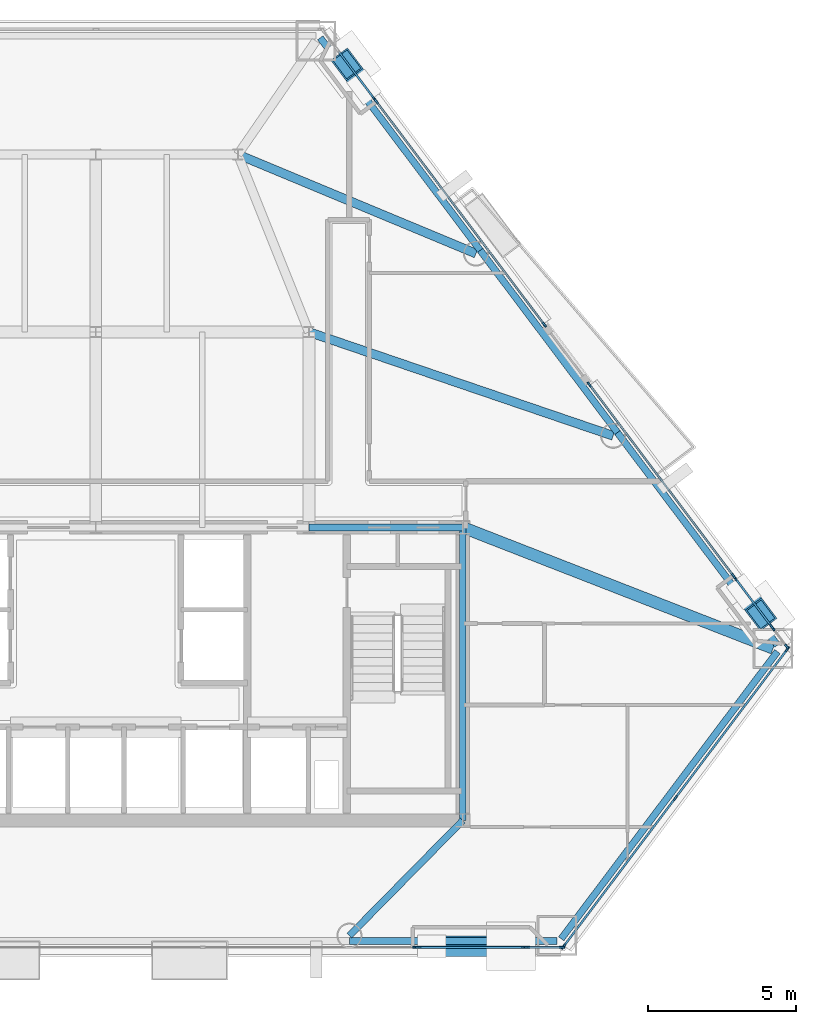
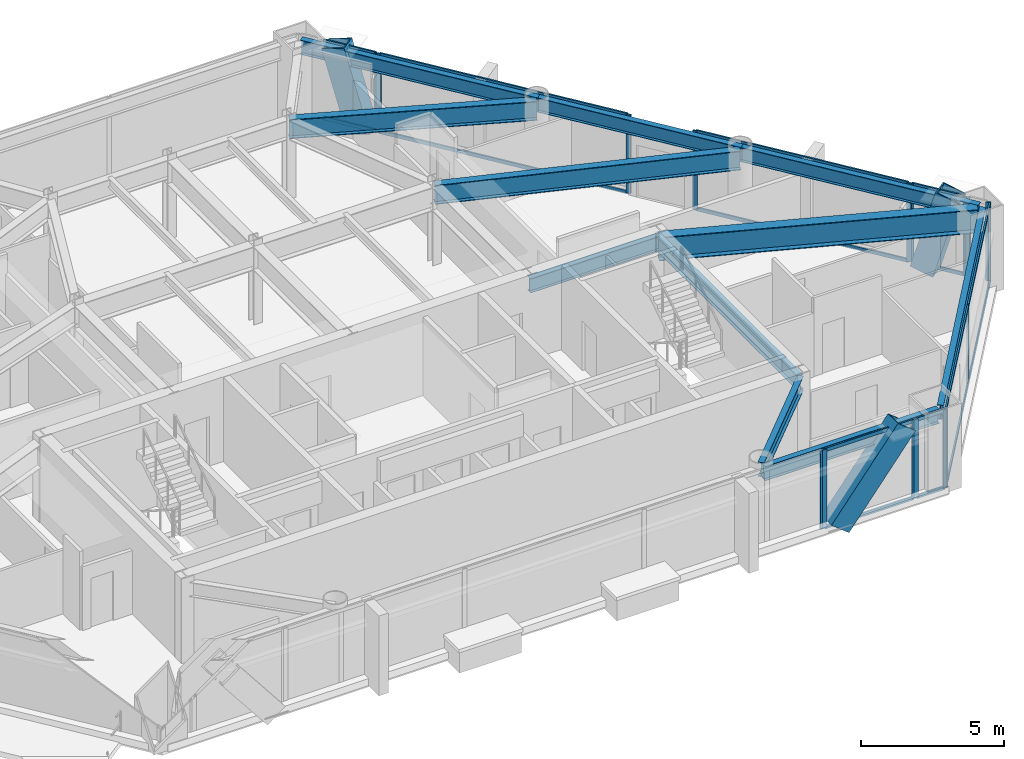
# One storey, part 4 of 14: 36 members, 11 beams, 9 elements without a shape of their own.
"""IFC4 building model written with IfcOpenShell, lengths in metres."""

from ifc_helpers import new_model, si_unit, direction, frame, origin, origin_2d, place, context, subcontext, project, spatial, rectangle, hollow_rectangle, i_section, extrude, material, layer, layer_set, material_profile, profile_set, type_object, element, aggregate, save


model = new_model("IFC4")

# Units and contexts
model_context = context("Model", 3, precision=1e-05, world=origin(), true_north=direction((0.0, 1.0)))
body_context = subcontext(model_context, "Body", "Model", "MODEL_VIEW")
ifc_project = project(units=[si_unit("LENGTHUNIT", "METRE"), si_unit("AREAUNIT", "SQUARE_METRE"), si_unit("VOLUMEUNIT", "CUBIC_METRE"), si_unit("PLANEANGLEUNIT", "RADIAN"), si_unit("MASSUNIT", "GRAM", prefix="KILO")], contexts=[model_context])

# Site, building, storey
site_placement = place(None, origin())
site = spatial("IfcSite", under=ifc_project, at=site_placement, CompositionType="ELEMENT")
building_placement = place(site_placement, origin())
building = spatial("IfcBuilding", under=site, at=building_placement, Name="Talgorran Terracotta Tower", CompositionType="ELEMENT")
storey_placement = place(building_placement, frame((0.0, 0.0, 53.10009765625)))
storey = spatial("IfcBuildingStorey", under=building, at=storey_placement, Name="L13", CompositionType="ELEMENT", Elevation=53.10009765625)

# Beams
ifc_material_1 = material(Name="Steel Grade 350 (350L0)", Category="steel")
ifc_material_profile_1 = material_profile(ifc_material_1, i_section(OverallWidth=0.39990234375, OverallDepth=1.0, WebThickness=0.01611328125, FlangeThickness=0.031005859375, at=origin_2d()), Name="1000WB296")
ifc_profile_set_1 = profile_set([ifc_material_profile_1], Name="Steel Grade 350 (350L0)")
beam_type_1 = type_object("IfcBeamType", Name="BM_1000WB296", PredefinedType="BEAM", material=ifc_profile_set_1)
beam_1_placement = place(storey_placement, frame((12.39990234375, -4.199951171875, 2.849853515625), z_axis=(0.931733259181, -0.363143406571, 0.0), x_axis=(0.363143406571, 0.931733259181, 0.0)))
element("IfcBeam", 1, at=beam_1_placement, inside=storey, type_object=beam_type_1, Name="L13 Floor Girder G18", PredefinedType="BEAM", context=body_context, shape_type="SweptSolid", body=[
    extrude(i_section(OverallWidth=0.39990234375, OverallDepth=1.0, WebThickness=0.01611328125, FlangeThickness=0.031005859375, at=origin_2d()), origin(), (0.0, 0.0, 1.0), 11.253662109375),
])
ifc_material_2 = material(Name="Steel S355 (300PLUS)", Category="steel")
ifc_material_profile_2 = material_profile(ifc_material_2, i_section(OverallWidth=0.300048828125, OverallDepth=0.81591796875, WebThickness=0.013916015625, FlangeThickness=0.028076171875, at=origin_2d()), Name="800WB192")
ifc_profile_set_2 = profile_set([ifc_material_profile_2], Name="Steel S355 (300PLUS)")
beam_type_2 = type_object("IfcBeamType", Name="BM_800WB192", PredefinedType="BEAM", material=ifc_profile_set_2)
beam_2_placement = place(storey_placement, frame((7.199951171875, 2.39990234375, 2.94189453125), z_axis=(0.94650066869, -0.322701850274, 0.0), x_axis=(0.322701850274, 0.94650066869, 0.0)))
element("IfcBeam", 2, at=beam_2_placement, inside=storey, type_object=beam_type_2, Name="L13 Floor Girder G07", PredefinedType="BEAM", context=body_context, shape_type="SweptSolid", body=[
    extrude(i_section(OverallWidth=0.300048828125, OverallDepth=0.81591796875, WebThickness=0.013916015625, FlangeThickness=0.028076171875, at=origin_2d()), origin(), (0.0, 0.0, 1.0), 10.859619140625),
])
beam_3_placement = place(storey_placement, frame((4.800048828125, 8.39990234375, 2.94189453125), z_axis=(0.923207843364, -0.384301025177, 0.0), x_axis=(0.384301025177, 0.923207843364, 0.0)))
element("IfcBeam", 3, at=beam_3_placement, inside=storey, type_object=beam_type_2, Name="L13 Floor Girder G14", PredefinedType="BEAM", context=body_context, shape_type="SweptSolid", body=[
    extrude(i_section(OverallWidth=0.300048828125, OverallDepth=0.81591796875, WebThickness=0.013916015625, FlangeThickness=0.028076171875, at=origin_2d()), origin(), (0.0, 0.0, 1.0), 8.713623046875),
])
ifc_material_profile_3 = material_profile(ifc_material_2, i_section(OverallWidth=0.22900390625, OverallDepth=0.611572265625, WebThickness=0.011962890625, FlangeThickness=0.01953125, at=origin_2d()), Name="610UB125")
ifc_profile_set_3 = profile_set([ifc_material_profile_3], Name="Steel S355 (300PLUS)")
beam_type_3 = type_object("IfcBeamType", Name="BM_SP_610UB125", PredefinedType="SPANDREL", material=ifc_profile_set_3)
beam_4_placement = place(storey_placement, frame((8.56884765625, -18.171142578125, 3.044189453125), z_axis=(1.0, 0.0, 0.0), x_axis=(0.0, 1.0, 0.0)))
element("IfcBeam", 4, at=beam_4_placement, inside=storey, type_object=beam_type_3, Name="L13 Perimeter Spandrel Beam FC2-MC3", PredefinedType="SPANDREL", context=body_context, shape_type="SweptSolid", body=[
    extrude(i_section(OverallWidth=0.22900390625, OverallDepth=0.611572265625, WebThickness=0.011962890625, FlangeThickness=0.01953125, at=origin_2d()), origin(), (0.0, 0.0, 1.0), 7.0107421875),
])
beam_5_placement = place(storey_placement, frame((15.723388671875, -18.099365234375, 3.044189453125), z_axis=(0.601442935973, 0.798915761997, 0.0), x_axis=(-0.798915761997, 0.601442935973, 0.0)))
element("IfcBeam", 5, at=beam_5_placement, inside=storey, type_object=beam_type_3, Name="L13 Perimeter Spandrel Beam MC3-MC4", PredefinedType="SPANDREL", context=body_context, shape_type="SweptSolid", body=[
    extrude(i_section(OverallWidth=0.22900390625, OverallDepth=0.611572265625, WebThickness=0.011962890625, FlangeThickness=0.01953125, at=origin_2d()), origin(), (0.0, 0.0, 1.0), 12.14697265625),
])
beam_6_placement = place(storey_placement, frame((23.029052734375, -8.17822265625, 3.044189453125), z_axis=(-0.601446008666, 0.798913448791, 0.0), x_axis=(-0.798913448791, -0.601446008666, 0.0)))
element("IfcBeam", 6, at=beam_6_placement, inside=storey, type_object=beam_type_3, Name="L13 Perimeter Spandrel Beam MC4-FC3", PredefinedType="SPANDREL", context=body_context, shape_type="SweptSolid", body=[
    extrude(i_section(OverallWidth=0.22900390625, OverallDepth=0.611572265625, WebThickness=0.011962890625, FlangeThickness=0.01953125, at=origin_2d()), origin(), (0.0, 0.0, 1.0), 8.989501953125),
])
beam_7_placement = place(storey_placement, frame((17.622314453125, -0.996337890625, 3.044189453125), z_axis=(-0.601413481794, 0.798937934959, 0.0), x_axis=(-0.798937934959, -0.601413481794, 0.0)))
element("IfcBeam", 7, at=beam_7_placement, inside=storey, type_object=beam_type_3, Name="L13 Perimeter Spandrel Beam FC3-FC4", PredefinedType="SPANDREL", context=body_context, shape_type="SweptSolid", body=[
    extrude(i_section(OverallWidth=0.22900390625, OverallDepth=0.611572265625, WebThickness=0.011962890625, FlangeThickness=0.01953125, at=origin_2d()), origin(), (0.0, 0.0, 1.0), 7.705322265625),
])
beam_8_placement = place(storey_placement, frame((12.98828125, 5.15966796875, 3.044189453125), z_axis=(-0.601446008666, 0.798913448791, 0.0), x_axis=(-0.798913448791, -0.601446008666, 0.0)))
element("IfcBeam", 8, at=beam_8_placement, inside=storey, type_object=beam_type_3, Name="L13 Perimeter Spandrel Beam FC4-MC5", PredefinedType="SPANDREL", context=body_context, shape_type="SweptSolid", body=[
    extrude(i_section(OverallWidth=0.22900390625, OverallDepth=0.611572265625, WebThickness=0.011962890625, FlangeThickness=0.01953125, at=origin_2d()), origin(), (0.0, 0.0, 1.0), 8.989501953125),
])
beam_9_placement = place(storey_placement, frame((12.39990234375, -14.10009765625, 3.044189453125), z_axis=(-0.701586091596, -0.712584700985, 0.0), x_axis=(0.712584700985, -0.701586091596, 0.0)))
element("IfcBeam", 9, at=beam_9_placement, inside=storey, type_object=beam_type_3, Name="L13 South-East Core Tie Beam", PredefinedType="SPANDREL", context=body_context, shape_type="SweptSolid", body=[
    extrude(i_section(OverallWidth=0.22900390625, OverallDepth=0.611572265625, WebThickness=0.011962890625, FlangeThickness=0.01953125, at=origin_2d()), origin(), (0.0, 0.0, 1.0), 5.46044921875),
])
beam_10_placement = place(storey_placement, frame((12.39990234375, -14.10009765625, 3.044189453125), z_axis=(0.0, 1.0, 0.0), x_axis=(-1.0, 0.0, 0.0)))
element("IfcBeam", 10, at=beam_10_placement, inside=storey, type_object=beam_type_3, Name="L13 Core Frame Beam CFE", PredefinedType="SPANDREL", context=body_context, shape_type="SweptSolid", body=[
    extrude(i_section(OverallWidth=0.22900390625, OverallDepth=0.611572265625, WebThickness=0.011962890625, FlangeThickness=0.01953125, at=origin_2d()), origin(), (0.0, 0.0, 1.0), 9.900146484375),
])
beam_11_placement = place(storey_placement, frame((7.199951171875, -4.199951171875, 3.044189453125), z_axis=(1.0, 0.0, 0.0), x_axis=(0.0, 1.0, 0.0)))
element("IfcBeam", 11, at=beam_11_placement, inside=storey, type_object=beam_type_3, Name="L13 Core Frame Beam CFN4", PredefinedType="SPANDREL", context=body_context, shape_type="SweptSolid", body=[
    extrude(i_section(OverallWidth=0.22900390625, OverallDepth=0.611572265625, WebThickness=0.011962890625, FlangeThickness=0.01953125, at=origin_2d()), origin(), (0.0, 0.0, 1.0), 5.199951171875),
])

# Members
ifc_material_profile_4 = material_profile(ifc_material_1, hollow_rectangle(XDim=0.699951171875, YDim=0.89990234375, WallThickness=0.050048828125, at=origin_2d()), Name="WBOX900X700X50")
ifc_profile_set_4 = profile_set([ifc_material_profile_4], Name="Steel Grade 350 (350L0)")
member_type_1 = type_object("IfcMemberType", Name="MB_MEGA_900", PredefinedType="BRACE", material=ifc_profile_set_4)
member_1_placement = place(storey_placement, frame((11.3466796875, -18.35107421875, -0.025146484375), z_axis=(0.618879608135, 0.0, 0.78548585642), x_axis=(0.0, 1.0, 0.0)))
element("IfcMember", 12, at=member_1_placement, inside=storey, type_object=member_type_1, Name="L13 Exterior Face Mega-Brace MB-1 (SEF)", PredefinedType="BRACE", context=body_context, shape_type="SweptSolid", body=[
    extrude(hollow_rectangle(XDim=0.699951171875, YDim=0.89990234375, WallThickness=0.050048828125, at=origin_2d()), origin(), (0.0, 0.0, 1.0), 4.32861328125),
])
for number, where, z_axis, x_axis, name in (
    (13, (21.889892578125, -6.365478515625, -0.025146484375), (0.164509793484, -0.218586690335, 0.961850501199), (0.79899919389, 0.601332094738, 0.0), "L13 Exterior Face Mega-Brace MB-1 (NEL)"),
    (14, (9.0634765625, 10.67236328125, -0.025146484375), (-0.164579471089, 0.218518441681, 0.961854088904), (-0.798786555616, -0.601614526559, 0.0), "L13 Exterior Face Mega-Brace MB-1 (NEU)"),
):
    element("IfcMember", number, at=place(storey_placement, frame(where, z_axis=z_axis, x_axis=x_axis)), inside=storey, type_object=member_type_1, Name=name, PredefinedType="BRACE", context=body_context, shape_type="SweptSolid", body=[
        extrude(hollow_rectangle(XDim=0.699951171875, YDim=0.89990234375, WallThickness=0.050048828125, at=origin_2d()), origin(), (0.0, 0.0, 1.0), 3.534912109375),
    ])

# Curtain wall, member
ifc_material_3 = material(Name="Unitised Low-E Double Glazing", Category="glass")
ifc_layer = layer(ifc_material_3, 0.199951171875, Name="CW_SYS2_RES_LOW")
ifc_layer_set = layer_set([ifc_layer], Name="Unitised Low-E Double Glazing")
curtain_wall_type = type_object("IfcCurtainWallType", Name="CW_SYS2_RES_LOW", PredefinedType="NOTDEFINED", material=ifc_layer_set)
curtain_wall_1_placement = place(storey_placement, origin())
curtain_wall_1 = element("IfcCurtainWall", 15, at=curtain_wall_1_placement, inside=storey, type_object=curtain_wall_type, Name="CW-L13-F1C", PredefinedType="NOTDEFINED")
ifc_material_4 = material(Name="Architectural Aluminium 6063-T6", Category="aluminium")
ifc_material_profile_5 = material_profile(ifc_material_4, rectangle(XDim=0.06494140625, YDim=0.18505859375, at=origin_2d()), Name="CWM65X185")
ifc_profile_set_5 = profile_set([ifc_material_profile_5], Name="Architectural Aluminium 6063-T6")
member_type_2 = type_object("IfcMemberType", Name="MUL_65X185", PredefinedType="MULLION", material=ifc_profile_set_5)
member_2_placement = place(storey_placement, frame((10.8056640625, -18.39111328125, 0.0), z_axis=(0.0, 0.0, 1.0), x_axis=(0.0, 1.0, 0.0)))
member_2 = element("IfcMember", 16, at=member_2_placement, type_object=member_type_2, Name="CW-L13-1C mullion 4", PredefinedType="MULLION", context=body_context, shape_type="SweptSolid", body=[
    extrude(rectangle(XDim=0.06494140625, YDim=0.18505859375, at=origin_2d()), origin(), (0.0, 0.0, 1.0), 3.349853515625),
])
aggregate(curtain_wall_1, [member_2])

# Curtain wall, members
curtain_wall_2_placement = place(storey_placement, origin())
curtain_wall_2 = element("IfcCurtainWall", 17, at=curtain_wall_2_placement, inside=storey, type_object=curtain_wall_type, Name="CW-L13-F1D", PredefinedType="NOTDEFINED")
member_3_placement = place(storey_placement, frame((10.880615234375, -18.39111328125, 0.0), z_axis=(0.0, 0.0, 1.0), x_axis=(0.0, 1.0, 0.0)))
member_3 = element("IfcMember", 18, at=member_3_placement, type_object=member_type_2, Name="CW-L13-1D mullion 1", PredefinedType="MULLION", context=body_context, shape_type="SweptSolid", body=[
    extrude(rectangle(XDim=0.06494140625, YDim=0.18505859375, at=origin_2d()), origin(), (0.0, 0.0, 1.0), 3.349853515625),
])
member_4_placement = place(storey_placement, frame((14.49169921875, -18.39111328125, 0.0), z_axis=(0.0, 0.0, 1.0), x_axis=(0.0, 1.0, 0.0)))
member_4 = element("IfcMember", 19, at=member_4_placement, type_object=member_type_2, Name="CW-L13-1D mullion 2", PredefinedType="MULLION", context=body_context, shape_type="SweptSolid", body=[
    extrude(rectangle(XDim=0.06494140625, YDim=0.18505859375, at=origin_2d()), origin(), (0.0, 0.0, 1.0), 3.349853515625),
])

curtain_wall_3_placement = place(storey_placement, origin())
curtain_wall_3 = element("IfcCurtainWall", 20, at=curtain_wall_3_placement, inside=storey, type_object=curtain_wall_type, Name="CW-L13-F1E", PredefinedType="NOTDEFINED")
member_5_placement = place(storey_placement, frame((14.566650390625, -18.39111328125, 0.0), z_axis=(0.0, 0.0, 1.0), x_axis=(0.0, 1.0, 0.0)))
member_5 = element("IfcMember", 21, at=member_5_placement, type_object=member_type_2, Name="CW-L13-1E mullion 1", PredefinedType="MULLION", context=body_context, shape_type="SweptSolid", body=[
    extrude(rectangle(XDim=0.06494140625, YDim=0.18505859375, at=origin_2d()), origin(), (0.0, 0.0, 1.0), 3.349853515625),
])
member_6_placement = place(storey_placement, frame((15.74658203125, -18.39111328125, 0.0), z_axis=(0.0, 0.0, 1.0), x_axis=(0.0, 1.0, 0.0)))
member_6 = element("IfcMember", 22, at=member_6_placement, type_object=member_type_2, Name="CW-L13-1E mullion 2", PredefinedType="MULLION", context=body_context, shape_type="SweptSolid", body=[
    extrude(rectangle(XDim=0.06494140625, YDim=0.18505859375, at=origin_2d()), origin(), (0.0, 0.0, 1.0), 3.349853515625),
])

curtain_wall_4_placement = place(storey_placement, origin())
curtain_wall_4 = element("IfcCurtainWall", 23, at=curtain_wall_4_placement, inside=storey, type_object=curtain_wall_type, Name="CW-L13-F2", PredefinedType="NOTDEFINED")
member_7_placement = place(storey_placement, frame((15.798583984375, -18.365234375, 0.0), z_axis=(0.0, 0.0, 1.0), x_axis=(-0.798916134657, 0.601442440957, 0.0)))
member_7 = element("IfcMember", 24, at=member_7_placement, type_object=member_type_2, Name="CW-L13-2 mullion 1", PredefinedType="MULLION", context=body_context, shape_type="SweptSolid", body=[
    extrude(rectangle(XDim=0.06494140625, YDim=0.18505859375, at=origin_2d()), origin(), (0.0, 0.0, 1.0), 3.349853515625),
])
member_8_placement = place(storey_placement, frame((19.58251953125, -13.3388671875, 0.0), z_axis=(0.0, 0.0, 1.0), x_axis=(-0.798916134657, 0.601442440957, 0.0)))
member_8 = element("IfcMember", 25, at=member_8_placement, type_object=member_type_2, Name="CW-L13-2 mullion 2", PredefinedType="MULLION", context=body_context, shape_type="SweptSolid", body=[
    extrude(rectangle(XDim=0.06494140625, YDim=0.18505859375, at=origin_2d()), origin(), (0.0, 0.0, 1.0), 3.349853515625),
])
member_9_placement = place(storey_placement, frame((23.366455078125, -8.3125, 0.0), z_axis=(0.0, 0.0, 1.0), x_axis=(-0.798916134657, 0.601442440957, 0.0)))
member_9 = element("IfcMember", 26, at=member_9_placement, type_object=member_type_2, Name="CW-L13-2 mullion 3", PredefinedType="MULLION", context=body_context, shape_type="SweptSolid", body=[
    extrude(rectangle(XDim=0.06494140625, YDim=0.18505859375, at=origin_2d()), origin(), (0.0, 0.0, 1.0), 3.349853515625),
])

curtain_wall_5_placement = place(storey_placement, origin())
curtain_wall_5 = element("IfcCurtainWall", 27, at=curtain_wall_5_placement, inside=storey, type_object=curtain_wall_type, Name="CW-L13-F40", PredefinedType="NOTDEFINED")
member_10_placement = place(storey_placement, frame((23.34228515625, -8.228515625, 0.0), z_axis=(0.0, 0.0, 1.0), x_axis=(-0.798912511121, -0.601447254192, 0.0)))
member_10 = element("IfcMember", 28, at=member_10_placement, type_object=member_type_2, Name="CW-L13-40 mullion 1", PredefinedType="MULLION", context=body_context, shape_type="SweptSolid", body=[
    extrude(rectangle(XDim=0.06494140625, YDim=0.18505859375, at=origin_2d()), origin(), (0.0, 0.0, 1.0), 3.349853515625),
])
member_11_placement = place(storey_placement, frame((22.87646484375, -7.60986328125, 0.0), z_axis=(0.0, 0.0, 1.0), x_axis=(-0.798912511121, -0.601447254192, 0.0)))
member_11 = element("IfcMember", 29, at=member_11_placement, type_object=member_type_2, Name="CW-L13-40 mullion 2", PredefinedType="MULLION", context=body_context, shape_type="SweptSolid", body=[
    extrude(rectangle(XDim=0.06494140625, YDim=0.18505859375, at=origin_2d()), origin(), (0.0, 0.0, 1.0), 3.349853515625),
])
aggregate(curtain_wall_5, [member_10, member_11])

curtain_wall_6_placement = place(storey_placement, origin())
curtain_wall_6 = element("IfcCurtainWall", 30, at=curtain_wall_6_placement, inside=storey, type_object=curtain_wall_type, Name="CW-L13-F40B", PredefinedType="NOTDEFINED")
member_12_placement = place(storey_placement, frame((22.831298828125, -7.5498046875, 0.0), z_axis=(0.0, 0.0, 1.0), x_axis=(-0.798918969813, -0.601438674906, 0.0)))
member_12 = element("IfcMember", 31, at=member_12_placement, type_object=member_type_2, Name="CW-L13-40B mullion 1", PredefinedType="MULLION", context=body_context, shape_type="SweptSolid", body=[
    extrude(rectangle(XDim=0.06494140625, YDim=0.18505859375, at=origin_2d()), origin(), (0.0, 0.0, 1.0), 3.349853515625),
])
member_13_placement = place(storey_placement, frame((21.59375, -5.90576171875, 0.0), z_axis=(0.0, 0.0, 1.0), x_axis=(-0.798918969813, -0.601438674906, 0.0)))
member_13 = element("IfcMember", 32, at=member_13_placement, type_object=member_type_2, Name="CW-L13-40B mullion 2", PredefinedType="MULLION", context=body_context, shape_type="SweptSolid", body=[
    extrude(rectangle(XDim=0.06494140625, YDim=0.18505859375, at=origin_2d()), origin(), (0.0, 0.0, 1.0), 3.349853515625),
])

curtain_wall_7_placement = place(storey_placement, origin())
curtain_wall_7 = element("IfcCurtainWall", 33, at=curtain_wall_7_placement, inside=storey, type_object=curtain_wall_type, Name="CW-L13-F40C", PredefinedType="NOTDEFINED")
member_14_placement = place(storey_placement, frame((21.548583984375, -5.845947265625, 0.0), z_axis=(0.0, 0.0, 1.0), x_axis=(-0.79891662501, -0.601441789604, 0.0)))
member_14 = element("IfcMember", 34, at=member_14_placement, type_object=member_type_2, Name="CW-L13-40C mullion 1", PredefinedType="MULLION", context=body_context, shape_type="SweptSolid", body=[
    extrude(rectangle(XDim=0.06494140625, YDim=0.18505859375, at=origin_2d()), origin(), (0.0, 0.0, 1.0), 3.349853515625),
])
member_15_placement = place(storey_placement, frame((16.672119140625, 0.6318359375, 0.0), z_axis=(0.0, 0.0, 1.0), x_axis=(-0.79891662501, -0.601441789604, 0.0)))
member_15 = element("IfcMember", 35, at=member_15_placement, type_object=member_type_2, Name="CW-L13-40C mullion 2", PredefinedType="MULLION", context=body_context, shape_type="SweptSolid", body=[
    extrude(rectangle(XDim=0.06494140625, YDim=0.18505859375, at=origin_2d()), origin(), (0.0, 0.0, 1.0), 3.349853515625),
])

curtain_wall_8_placement = place(storey_placement, origin())
curtain_wall_8 = element("IfcCurtainWall", 36, at=curtain_wall_8_placement, inside=storey, type_object=curtain_wall_type, Name="CW-L13-F41", PredefinedType="NOTDEFINED")
member_16_placement = place(storey_placement, frame((15.153564453125, 2.649169921875, 0.0), z_axis=(0.0, 0.0, 1.0), x_axis=(-0.79891941428, -0.601438084499, 0.0)))
member_16 = element("IfcMember", 37, at=member_16_placement, type_object=member_type_2, Name="CW-L13-41 mullion 1", PredefinedType="MULLION", context=body_context, shape_type="SweptSolid", body=[
    extrude(rectangle(XDim=0.06494140625, YDim=0.18505859375, at=origin_2d()), origin(), (0.0, 0.0, 1.0), 3.349853515625),
])
member_17_placement = place(storey_placement, frame((9.468505859375, 10.20068359375, 0.0), z_axis=(0.0, 0.0, 1.0), x_axis=(-0.79891941428, -0.601438084499, 0.0)))
member_17 = element("IfcMember", 38, at=member_17_placement, type_object=member_type_2, Name="CW-L13-41 mullion 2", PredefinedType="MULLION", context=body_context, shape_type="SweptSolid", body=[
    extrude(rectangle(XDim=0.06494140625, YDim=0.18505859375, at=origin_2d()), origin(), (0.0, 0.0, 1.0), 3.349853515625),
])

# Curtain wall, member
curtain_wall_9_placement = place(storey_placement, origin())
curtain_wall_9 = element("IfcCurtainWall", 39, at=curtain_wall_9_placement, inside=storey, type_object=curtain_wall_type, Name="CW-L13-F41B", PredefinedType="NOTDEFINED")
member_18_placement = place(storey_placement, frame((9.42333984375, 10.2607421875, 0.0), z_axis=(0.0, 0.0, 1.0), x_axis=(-0.798918969813, -0.601438674906, 0.0)))
member_18 = element("IfcMember", 40, at=member_18_placement, type_object=member_type_2, Name="CW-L13-41B mullion 1", PredefinedType="MULLION", context=body_context, shape_type="SweptSolid", body=[
    extrude(rectangle(XDim=0.06494140625, YDim=0.18505859375, at=origin_2d()), origin(), (0.0, 0.0, 1.0), 3.349853515625),
])

# Member
ifc_material_profile_6 = material_profile(ifc_material_4, rectangle(XDim=0.06494140625, YDim=0.14990234375, at=origin_2d()), Name="CWT65X150")
ifc_profile_set_6 = profile_set([ifc_material_profile_6], Name="Architectural Aluminium 6063-T6")
member_type_3 = type_object("IfcMemberType", Name="TRN_65X150", PredefinedType="USERDEFINED", material=ifc_profile_set_6)
member_19_placement = place(storey_placement, frame((10.9130859375, -18.39111328125, 0.032470703125), z_axis=(1.0, 0.0, 0.0), x_axis=(0.0, 1.0, 0.0)))
member_19 = element("IfcMember", 41, at=member_19_placement, type_object=member_type_3, Name="CW-L13-1D transom 1.1", ObjectType="TRANSOM", PredefinedType="USERDEFINED", context=body_context, shape_type="SweptSolid", body=[
    extrude(rectangle(XDim=0.06494140625, YDim=0.14990234375, at=origin_2d()), origin(), (0.0, 0.0, 1.0), 3.546142578125),
])

member_20_placement = place(storey_placement, frame((10.9130859375, -18.39111328125, 3.3173828125), z_axis=(1.0, 0.0, 0.0), x_axis=(0.0, 1.0, 0.0)))
member_20 = element("IfcMember", 42, at=member_20_placement, type_object=member_type_3, Name="CW-L13-1D transom 1.2", ObjectType="TRANSOM", PredefinedType="USERDEFINED", context=body_context, shape_type="SweptSolid", body=[
    extrude(rectangle(XDim=0.06494140625, YDim=0.14990234375, at=origin_2d()), origin(), (0.0, 0.0, 1.0), 3.546142578125),
])

aggregate(curtain_wall_2, [member_3, member_4, member_19, member_20])

member_21_placement = place(storey_placement, frame((14.59912109375, -18.39111328125, 0.032470703125), z_axis=(1.0, 0.0, 0.0), x_axis=(0.0, 1.0, 0.0)))
member_21 = element("IfcMember", 43, at=member_21_placement, type_object=member_type_3, Name="CW-L13-1E transom 1.1", ObjectType="TRANSOM", PredefinedType="USERDEFINED", context=body_context, shape_type="SweptSolid", body=[
    extrude(rectangle(XDim=0.06494140625, YDim=0.14990234375, at=origin_2d()), origin(), (0.0, 0.0, 1.0), 1.114990234375),
])

member_22_placement = place(storey_placement, frame((14.59912109375, -18.39111328125, 3.3173828125), z_axis=(1.0, 0.0, 0.0), x_axis=(0.0, 1.0, 0.0)))
member_22 = element("IfcMember", 44, at=member_22_placement, type_object=member_type_3, Name="CW-L13-1E transom 1.2", ObjectType="TRANSOM", PredefinedType="USERDEFINED", context=body_context, shape_type="SweptSolid", body=[
    extrude(rectangle(XDim=0.06494140625, YDim=0.14990234375, at=origin_2d()), origin(), (0.0, 0.0, 1.0), 1.114990234375),
])

aggregate(curtain_wall_3, [member_5, member_6, member_21, member_22])

member_23_placement = place(storey_placement, frame((15.818115234375, -18.339111328125, 0.032470703125), z_axis=(0.601448231675, 0.798911775238, 0.0), x_axis=(-0.798911775238, 0.601448231675, 0.0)))
member_23 = element("IfcMember", 45, at=member_23_placement, type_object=member_type_3, Name="CW-L13-2 transom 1.1", ObjectType="TRANSOM", PredefinedType="USERDEFINED", context=body_context, shape_type="SweptSolid", body=[
    extrude(rectangle(XDim=0.06494140625, YDim=0.14990234375, at=origin_2d()), origin(), (0.0, 0.0, 1.0), 6.226318359375),
])

member_24_placement = place(storey_placement, frame((15.818115234375, -18.339111328125, 3.3173828125), z_axis=(0.601448231675, 0.798911775238, 0.0), x_axis=(-0.798911775238, 0.601448231675, 0.0)))
member_24 = element("IfcMember", 46, at=member_24_placement, type_object=member_type_3, Name="CW-L13-2 transom 1.2", ObjectType="TRANSOM", PredefinedType="USERDEFINED", context=body_context, shape_type="SweptSolid", body=[
    extrude(rectangle(XDim=0.06494140625, YDim=0.14990234375, at=origin_2d()), origin(), (0.0, 0.0, 1.0), 6.226318359375),
])

member_25_placement = place(storey_placement, frame((19.60205078125, -13.31298828125, 0.032470703125), z_axis=(0.601448231675, 0.798911775238, 0.0), x_axis=(-0.798911775238, 0.601448231675, 0.0)))
member_25 = element("IfcMember", 47, at=member_25_placement, type_object=member_type_3, Name="CW-L13-2 transom 2.1", ObjectType="TRANSOM", PredefinedType="USERDEFINED", context=body_context, shape_type="SweptSolid", body=[
    extrude(rectangle(XDim=0.06494140625, YDim=0.14990234375, at=origin_2d()), origin(), (0.0, 0.0, 1.0), 6.226318359375),
])

member_26_placement = place(storey_placement, frame((19.60205078125, -13.31298828125, 3.3173828125), z_axis=(0.601448231675, 0.798911775238, 0.0), x_axis=(-0.798911775238, 0.601448231675, 0.0)))
member_26 = element("IfcMember", 48, at=member_26_placement, type_object=member_type_3, Name="CW-L13-2 transom 2.2", ObjectType="TRANSOM", PredefinedType="USERDEFINED", context=body_context, shape_type="SweptSolid", body=[
    extrude(rectangle(XDim=0.06494140625, YDim=0.14990234375, at=origin_2d()), origin(), (0.0, 0.0, 1.0), 6.226318359375),
])

aggregate(curtain_wall_4, [member_7, member_8, member_9, member_23, member_24, member_25, member_26])

member_27_placement = place(storey_placement, frame((22.811767578125, -7.52392578125, 0.032470703125), z_axis=(-0.601430024587, 0.798925481835, 0.0), x_axis=(-0.798925481835, -0.601430024587, 0.0)))
member_27 = element("IfcMember", 49, at=member_27_placement, type_object=member_type_3, Name="CW-L13-40B transom 1.1", ObjectType="TRANSOM", PredefinedType="USERDEFINED", context=body_context, shape_type="SweptSolid", body=[
    extrude(rectangle(XDim=0.06494140625, YDim=0.14990234375, at=origin_2d()), origin(), (0.0, 0.0, 1.0), 1.99267578125),
])

member_28_placement = place(storey_placement, frame((22.811767578125, -7.52392578125, 3.3173828125), z_axis=(-0.601430024587, 0.798925481835, 0.0), x_axis=(-0.798925481835, -0.601430024587, 0.0)))
member_28 = element("IfcMember", 50, at=member_28_placement, type_object=member_type_3, Name="CW-L13-40B transom 1.2", ObjectType="TRANSOM", PredefinedType="USERDEFINED", context=body_context, shape_type="SweptSolid", body=[
    extrude(rectangle(XDim=0.06494140625, YDim=0.14990234375, at=origin_2d()), origin(), (0.0, 0.0, 1.0), 1.99267578125),
])

aggregate(curtain_wall_6, [member_12, member_13, member_27, member_28])

member_29_placement = place(storey_placement, frame((21.529052734375, -5.820068359375, 0.032470703125), z_axis=(-0.601422017659, 0.798931509377, 0.0), x_axis=(-0.798931509377, -0.601422017659, 0.0)))
member_29 = element("IfcMember", 51, at=member_29_placement, type_object=member_type_3, Name="CW-L13-40C transom 1.1", ObjectType="TRANSOM", PredefinedType="USERDEFINED", context=body_context, shape_type="SweptSolid", body=[
    extrude(rectangle(XDim=0.06494140625, YDim=0.14990234375, at=origin_2d()), origin(), (0.0, 0.0, 1.0), 8.043212890625),
])

member_30_placement = place(storey_placement, frame((21.529052734375, -5.820068359375, 3.3173828125), z_axis=(-0.601422017659, 0.798931509377, 0.0), x_axis=(-0.798931509377, -0.601422017659, 0.0)))
member_30 = element("IfcMember", 52, at=member_30_placement, type_object=member_type_3, Name="CW-L13-40C transom 1.2", ObjectType="TRANSOM", PredefinedType="USERDEFINED", context=body_context, shape_type="SweptSolid", body=[
    extrude(rectangle(XDim=0.06494140625, YDim=0.14990234375, at=origin_2d()), origin(), (0.0, 0.0, 1.0), 8.043212890625),
])

aggregate(curtain_wall_7, [member_14, member_15, member_29, member_30])

member_31_placement = place(storey_placement, frame((15.1337890625, 2.675048828125, 0.032470703125), z_axis=(-0.601426343567, 0.798928252888, 0.0), x_axis=(-0.798928252888, -0.601426343567, 0.0)))
member_31 = element("IfcMember", 53, at=member_31_placement, type_object=member_type_3, Name="CW-L13-41 transom 1.1", ObjectType="TRANSOM", PredefinedType="USERDEFINED", context=body_context, shape_type="SweptSolid", body=[
    extrude(rectangle(XDim=0.06494140625, YDim=0.14990234375, at=origin_2d()), origin(), (0.0, 0.0, 1.0), 9.38720703125),
])

member_32_placement = place(storey_placement, frame((15.1337890625, 2.675048828125, 3.3173828125), z_axis=(-0.601426343567, 0.798928252888, 0.0), x_axis=(-0.798928252888, -0.601426343567, 0.0)))
member_32 = element("IfcMember", 54, at=member_32_placement, type_object=member_type_3, Name="CW-L13-41 transom 1.2", ObjectType="TRANSOM", PredefinedType="USERDEFINED", context=body_context, shape_type="SweptSolid", body=[
    extrude(rectangle(XDim=0.06494140625, YDim=0.14990234375, at=origin_2d()), origin(), (0.0, 0.0, 1.0), 9.38720703125),
])

aggregate(curtain_wall_8, [member_16, member_17, member_31, member_32])

member_33_placement = place(storey_placement, frame((9.40380859375, 10.28662109375, 0.032470703125), z_axis=(-0.601430024587, 0.798925481835, 0.0), x_axis=(-0.798925481835, -0.601430024587, 0.0)))
member_33 = element("IfcMember", 55, at=member_33_placement, type_object=member_type_3, Name="CW-L13-41B transom 1.1", ObjectType="TRANSOM", PredefinedType="USERDEFINED", context=body_context, shape_type="SweptSolid", body=[
    extrude(rectangle(XDim=0.06494140625, YDim=0.14990234375, at=origin_2d()), origin(), (0.0, 0.0, 1.0), 1.99267578125),
])

member_34_placement = place(storey_placement, frame((9.40380859375, 10.28662109375, 3.3173828125), z_axis=(-0.601430024587, 0.798925481835, 0.0), x_axis=(-0.798925481835, -0.601430024587, 0.0)))
member_34 = element("IfcMember", 56, at=member_34_placement, type_object=member_type_3, Name="CW-L13-41B transom 1.2", ObjectType="TRANSOM", PredefinedType="USERDEFINED", context=body_context, shape_type="SweptSolid", body=[
    extrude(rectangle(XDim=0.06494140625, YDim=0.14990234375, at=origin_2d()), origin(), (0.0, 0.0, 1.0), 1.99267578125),
])

aggregate(curtain_wall_9, [member_18, member_33, member_34])

save(model, "model.ifc")
